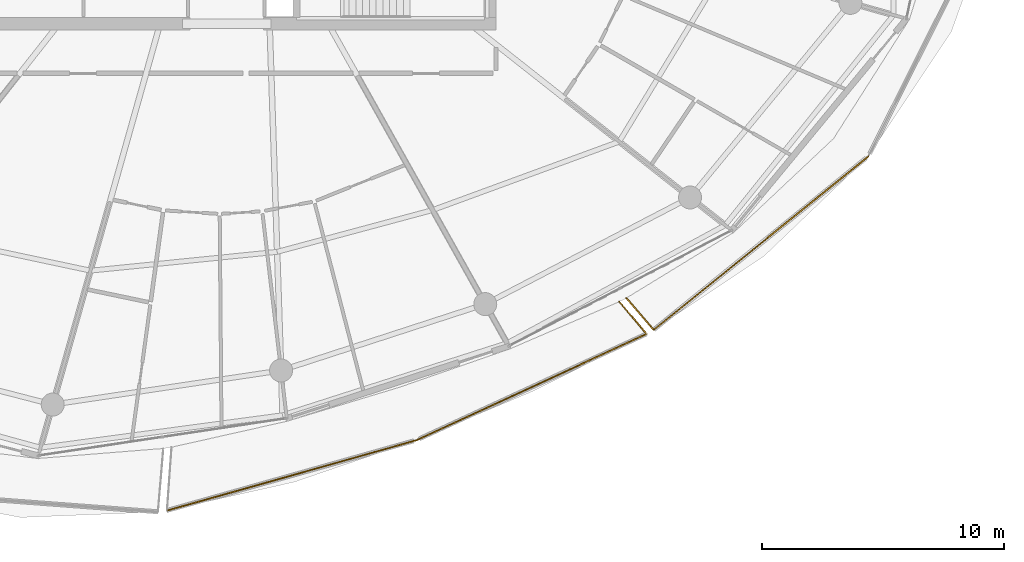
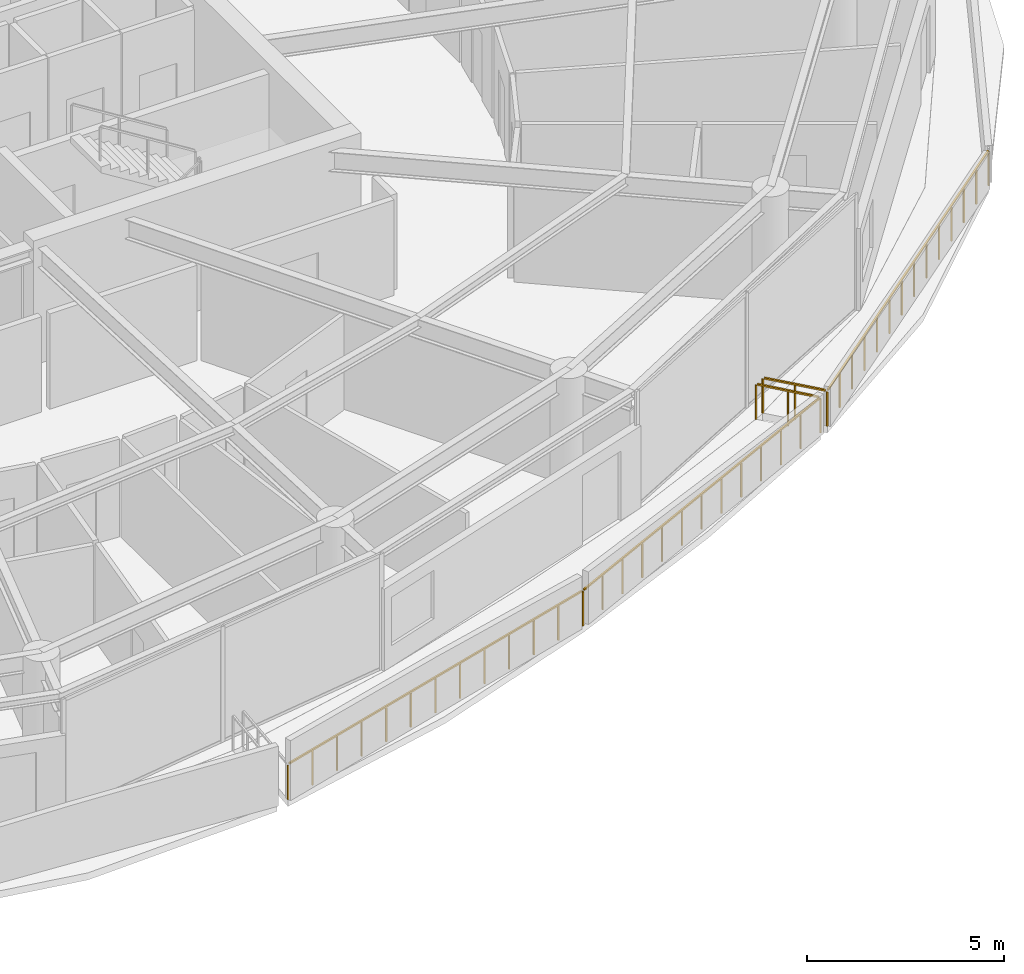
# One storey, part 26 of 30: 5 railings.
"""IFC4 building model written with IfcOpenShell, lengths in metres."""

from ifc_helpers import new_model, si_unit, direction, frame, origin, origin_2d, place, context, subcontext, project, spatial, rectangle, extrude, material, type_object, element, save


model = new_model("IFC4")

# Units and contexts
model_context = context("Model", 3, precision=1e-05, world=origin(), true_north=direction((0.0, 1.0)))
body_context = subcontext(model_context, "Body", "Model", "MODEL_VIEW")
ifc_project = project(units=[si_unit("LENGTHUNIT", "METRE"), si_unit("AREAUNIT", "SQUARE_METRE"), si_unit("VOLUMEUNIT", "CUBIC_METRE"), si_unit("PLANEANGLEUNIT", "RADIAN"), si_unit("MASSUNIT", "GRAM", prefix="KILO")], contexts=[model_context])

# Site, building, storey
site_placement = place(None, origin())
site = spatial("IfcSite", under=ifc_project, at=site_placement, CompositionType="ELEMENT")
building_placement = place(site_placement, origin())
building = spatial("IfcBuilding", under=site, at=building_placement, Name="Kazma Halo Residences", CompositionType="ELEMENT")
storey_placement = place(building_placement, frame((0.0, 0.0, 298.300048828125)))
storey = spatial("IfcBuildingStorey", under=building, at=storey_placement, Name="L75", CompositionType="ELEMENT", Elevation=298.300048828125)

# Railings
ifc_material = material(Name="Aluminium AW-6063 T6 Brushed Cap Rail", Category="aluminium")
railing_type = type_object("IfcRailingType", Name="RLG-BAL-CAP-1120", PredefinedType="BALUSTRADE", material=ifc_material)
railing_1_placement = place(storey_placement, frame((45.94189453125, 13.635498046875, 0.0)))
element("IfcRailing", 1, at=railing_1_placement, inside=storey, type_object=railing_type, Name="L75 SSE wave balcony guard 2", PredefinedType="BALUSTRADE", context=body_context, shape_type="SweptSolid", body=[
    extrude(rectangle(XDim=0.050048828125, YDim=0.050048828125, at=origin_2d()), frame((0.041015625, 0.011474609375, 1.09521484375), z_axis=(0.962459277596, 0.271426120647, 0.0), x_axis=(-0.271426120647, 0.962459277596, 0.0)), (0.0, 0.0, 1.0), 10.645751953125),
    extrude(rectangle(XDim=0.0400390625, YDim=0.0400390625, at=origin_2d()), origin(), (0.0, 0.0, 1.0), 1.05810546875),
    extrude(rectangle(XDim=0.0400390625, YDim=0.0400390625, at=origin_2d()), frame((0.860595703125, 0.24267578125, 0.0)), (0.0, 0.0, 1.0), 1.05810546875),
    extrude(rectangle(XDim=0.0400390625, YDim=0.0400390625, at=origin_2d()), frame((1.72119140625, 0.4853515625, 0.0)), (0.0, 0.0, 1.0), 1.05810546875),
    extrude(rectangle(XDim=0.0400390625, YDim=0.0400390625, at=origin_2d()), frame((2.58203125, 0.72802734375, 0.0)), (0.0, 0.0, 1.0), 1.05810546875),
    extrude(rectangle(XDim=0.0400390625, YDim=0.0400390625, at=origin_2d()), frame((3.442626953125, 0.970947265625, 0.0)), (0.0, 0.0, 1.0), 1.05810546875),
    extrude(rectangle(XDim=0.0400390625, YDim=0.0400390625, at=origin_2d()), frame((4.30322265625, 1.213623046875, 0.0)), (0.0, 0.0, 1.0), 1.05810546875),
    extrude(rectangle(XDim=0.0400390625, YDim=0.0400390625, at=origin_2d()), frame((5.1640625, 1.456298828125, 0.0)), (0.0, 0.0, 1.0), 1.05810546875),
    extrude(rectangle(XDim=0.0400390625, YDim=0.0400390625, at=origin_2d()), frame((6.024658203125, 1.698974609375, 0.0)), (0.0, 0.0, 1.0), 1.05810546875),
    extrude(rectangle(XDim=0.0400390625, YDim=0.0400390625, at=origin_2d()), frame((6.88525390625, 1.941650390625, 0.0)), (0.0, 0.0, 1.0), 1.05810546875),
    extrude(rectangle(XDim=0.0400390625, YDim=0.0400390625, at=origin_2d()), frame((7.745849609375, 2.1845703125, 0.0)), (0.0, 0.0, 1.0), 1.05810546875),
    extrude(rectangle(XDim=0.0400390625, YDim=0.0400390625, at=origin_2d()), frame((8.6064453125, 2.42724609375, 0.0)), (0.0, 0.0, 1.0), 1.05810546875),
    extrude(rectangle(XDim=0.0400390625, YDim=0.0400390625, at=origin_2d()), frame((9.46728515625, 2.669921875, 0.0)), (0.0, 0.0, 1.0), 1.05810546875),
    extrude(rectangle(XDim=0.0400390625, YDim=0.0400390625, at=origin_2d()), frame((10.327880859375, 2.91259765625, 0.0)), (0.0, 0.0, 1.0), 1.05810546875),
])
railing_2_placement = place(storey_placement, frame((56.269775390625, 16.548095703125, 0.0)))
element("IfcRailing", 2, at=railing_2_placement, inside=storey, type_object=railing_type, Name="L75 SSE wave balcony guard 3", PredefinedType="BALUSTRADE", context=body_context, shape_type="SweptSolid", body=[
    extrude(rectangle(XDim=0.050048828125, YDim=0.050048828125, at=origin_2d()), frame((0.03857421875, 0.017822265625, 1.09521484375), z_axis=(0.907848041768, 0.419299335867, 0.0), x_axis=(-0.419299335867, 0.907848041768, 0.0)), (0.0, 0.0, 1.0), 10.378662109375),
    extrude(rectangle(XDim=0.0400390625, YDim=0.0400390625, at=origin_2d()), origin(), (0.0, 0.0, 1.0), 1.05810546875),
    extrude(rectangle(XDim=0.0400390625, YDim=0.0400390625, at=origin_2d()), frame((0.79150390625, 0.36572265625, 0.0)), (0.0, 0.0, 1.0), 1.05810546875),
    extrude(rectangle(XDim=0.0400390625, YDim=0.0400390625, at=origin_2d()), frame((1.583251953125, 0.731201171875, 0.0)), (0.0, 0.0, 1.0), 1.05810546875),
    extrude(rectangle(XDim=0.0400390625, YDim=0.0400390625, at=origin_2d()), frame((2.375, 1.096923828125, 0.0)), (0.0, 0.0, 1.0), 1.05810546875),
    extrude(rectangle(XDim=0.0400390625, YDim=0.0400390625, at=origin_2d()), frame((3.16650390625, 1.46240234375, 0.0)), (0.0, 0.0, 1.0), 1.05810546875),
    extrude(rectangle(XDim=0.0400390625, YDim=0.0400390625, at=origin_2d()), frame((3.9580078125, 1.828125, 0.0)), (0.0, 0.0, 1.0), 1.05810546875),
    extrude(rectangle(XDim=0.0400390625, YDim=0.0400390625, at=origin_2d()), frame((4.749755859375, 2.19384765625, 0.0)), (0.0, 0.0, 1.0), 1.05810546875),
    extrude(rectangle(XDim=0.0400390625, YDim=0.0400390625, at=origin_2d()), frame((5.54150390625, 2.559326171875, 0.0)), (0.0, 0.0, 1.0), 1.05810546875),
    extrude(rectangle(XDim=0.0400390625, YDim=0.0400390625, at=origin_2d()), frame((6.3330078125, 2.925048828125, 0.0)), (0.0, 0.0, 1.0), 1.05810546875),
    extrude(rectangle(XDim=0.0400390625, YDim=0.0400390625, at=origin_2d()), frame((7.12451171875, 3.29052734375, 0.0)), (0.0, 0.0, 1.0), 1.05810546875),
    extrude(rectangle(XDim=0.0400390625, YDim=0.0400390625, at=origin_2d()), frame((7.916259765625, 3.65625, 0.0)), (0.0, 0.0, 1.0), 1.05810546875),
    extrude(rectangle(XDim=0.0400390625, YDim=0.0400390625, at=origin_2d()), frame((8.7080078125, 4.021728515625, 0.0)), (0.0, 0.0, 1.0), 1.05810546875),
    extrude(rectangle(XDim=0.0400390625, YDim=0.0400390625, at=origin_2d()), frame((9.49951171875, 4.387451171875, 0.0)), (0.0, 0.0, 1.0), 1.05810546875),
])
railing_3_placement = place(storey_placement, frame((65.769287109375, 20.935546875, 0.0)))
element("IfcRailing", 3, at=railing_3_placement, inside=storey, type_object=railing_type, Name="L75 SSE wave balcony guard 4", PredefinedType="BALUSTRADE", context=body_context, shape_type="SweptSolid", body=[
    extrude(rectangle(XDim=0.050048828125, YDim=0.050048828125, at=origin_2d()), frame((-0.02734375, 0.032470703125, 1.09521484375), z_axis=(-0.644812173363, 0.764341063324, 0.0), x_axis=(-0.764341063324, -0.644812173363, 0.0)), (0.0, 0.0, 1.0), 1.6591796875),
    extrude(rectangle(XDim=0.0400390625, YDim=0.0400390625, at=origin_2d()), origin(), (0.0, 0.0, 1.0), 1.05810546875),
    extrude(rectangle(XDim=0.0400390625, YDim=0.0400390625, at=origin_2d()), frame((-0.5625, 0.66650390625, 0.0)), (0.0, 0.0, 1.0), 1.05810546875),
    extrude(rectangle(XDim=0.0400390625, YDim=0.0400390625, at=origin_2d()), frame((-1.124755859375, 1.333251953125, 0.0)), (0.0, 0.0, 1.0), 1.05810546875),
])
railing_4_placement = place(storey_placement, frame((64.93212890625, 22.41845703125, 0.0)))
element("IfcRailing", 4, at=railing_4_placement, inside=storey, type_object=railing_type, Name="L75 SE wave balcony guard 1", PredefinedType="BALUSTRADE", context=body_context, shape_type="SweptSolid", body=[
    extrude(rectangle(XDim=0.050048828125, YDim=0.050048828125, at=origin_2d()), frame((0.02783203125, -0.0322265625, 1.09521484375), z_axis=(0.654051886651, -0.7564496874, 0.0), x_axis=(0.7564496874, 0.654051886651, 0.0)), (0.0, 0.0, 1.0), 1.650634765625),
    extrude(rectangle(XDim=0.0400390625, YDim=0.0400390625, at=origin_2d()), origin(), (0.0, 0.0, 1.0), 1.05810546875),
    extrude(rectangle(XDim=0.0400390625, YDim=0.0400390625, at=origin_2d()), frame((0.567626953125, -0.656494140625, 0.0)), (0.0, 0.0, 1.0), 1.05810546875),
    extrude(rectangle(XDim=0.0400390625, YDim=0.0400390625, at=origin_2d()), frame((1.13525390625, -1.31298828125, 0.0)), (0.0, 0.0, 1.0), 1.05810546875),
])
railing_5_placement = place(storey_placement, frame((66.0673828125, 21.10546875, 0.0)))
element("IfcRailing", 5, at=railing_5_placement, inside=storey, type_object=railing_type, Name="L75 SE wave balcony guard 2", PredefinedType="BALUSTRADE", context=body_context, shape_type="SweptSolid", body=[
    extrude(rectangle(XDim=0.050048828125, YDim=0.050048828125, at=origin_2d()), frame((0.033203125, 0.02685546875, 1.09521484375), z_axis=(0.777696828028, 0.628639518067, 0.0), x_axis=(-0.628639518067, 0.777696828028, 0.0)), (0.0, 0.0, 1.0), 11.319580078125),
    extrude(rectangle(XDim=0.0400390625, YDim=0.0400390625, at=origin_2d()), origin(), (0.0, 0.0, 1.0), 1.05810546875),
    extrude(rectangle(XDim=0.0400390625, YDim=0.0400390625, at=origin_2d()), frame((0.682373046875, 0.551513671875, 0.0)), (0.0, 0.0, 1.0), 1.05810546875),
    extrude(rectangle(XDim=0.0400390625, YDim=0.0400390625, at=origin_2d()), frame((1.364501953125, 1.10302734375, 0.0)), (0.0, 0.0, 1.0), 1.05810546875),
    extrude(rectangle(XDim=0.0400390625, YDim=0.0400390625, at=origin_2d()), frame((2.046875, 1.654541015625, 0.0)), (0.0, 0.0, 1.0), 1.05810546875),
    extrude(rectangle(XDim=0.0400390625, YDim=0.0400390625, at=origin_2d()), frame((2.72900390625, 2.2060546875, 0.0)), (0.0, 0.0, 1.0), 1.05810546875),
    extrude(rectangle(XDim=0.0400390625, YDim=0.0400390625, at=origin_2d()), frame((3.411376953125, 2.757568359375, 0.0)), (0.0, 0.0, 1.0), 1.05810546875),
    extrude(rectangle(XDim=0.0400390625, YDim=0.0400390625, at=origin_2d()), frame((4.093505859375, 3.30908203125, 0.0)), (0.0, 0.0, 1.0), 1.05810546875),
    extrude(rectangle(XDim=0.0400390625, YDim=0.0400390625, at=origin_2d()), frame((4.77587890625, 3.8603515625, 0.0)), (0.0, 0.0, 1.0), 1.05810546875),
    extrude(rectangle(XDim=0.0400390625, YDim=0.0400390625, at=origin_2d()), frame((5.4580078125, 4.411865234375, 0.0)), (0.0, 0.0, 1.0), 1.05810546875),
    extrude(rectangle(XDim=0.0400390625, YDim=0.0400390625, at=origin_2d()), frame((6.140380859375, 4.96337890625, 0.0)), (0.0, 0.0, 1.0), 1.05810546875),
    extrude(rectangle(XDim=0.0400390625, YDim=0.0400390625, at=origin_2d()), frame((6.822509765625, 5.514892578125, 0.0)), (0.0, 0.0, 1.0), 1.05810546875),
    extrude(rectangle(XDim=0.0400390625, YDim=0.0400390625, at=origin_2d()), frame((7.5048828125, 6.06640625, 0.0)), (0.0, 0.0, 1.0), 1.05810546875),
    extrude(rectangle(XDim=0.0400390625, YDim=0.0400390625, at=origin_2d()), frame((8.18701171875, 6.617919921875, 0.0)), (0.0, 0.0, 1.0), 1.05810546875),
    extrude(rectangle(XDim=0.0400390625, YDim=0.0400390625, at=origin_2d()), frame((8.869384765625, 7.16943359375, 0.0)), (0.0, 0.0, 1.0), 1.05810546875),
])

save(model, "model.ifc")
